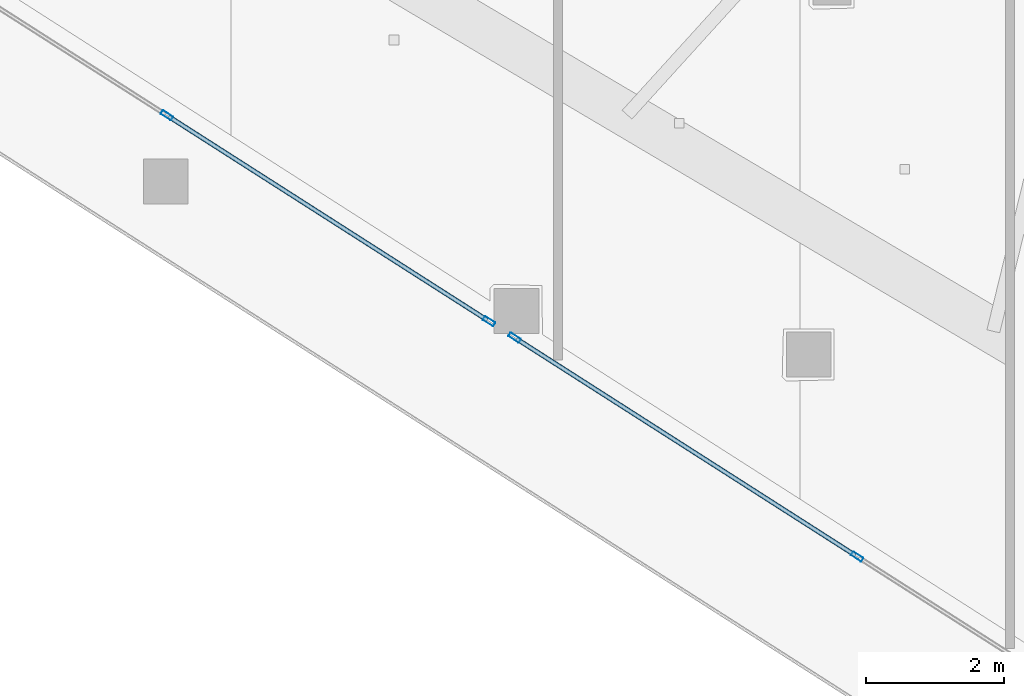
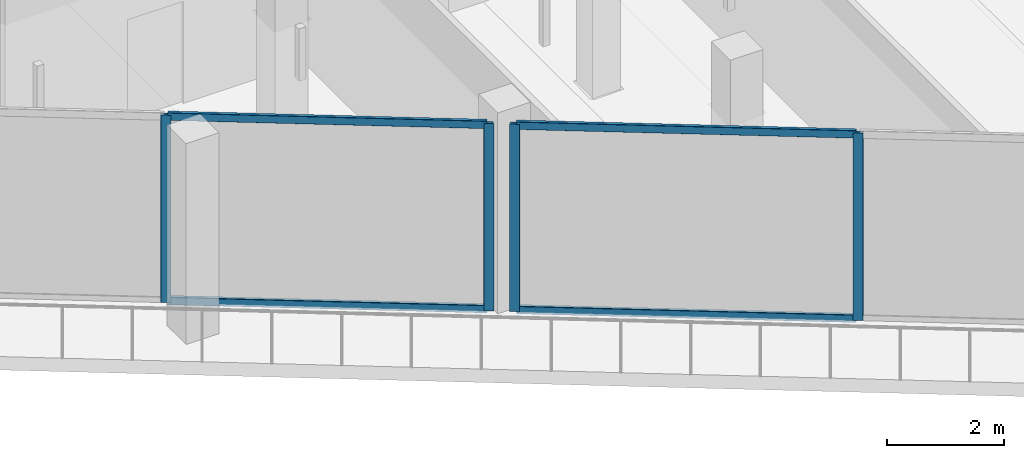
# One storey, part 2 of 46: 8 members, 2 elements without a shape of their own.
"""IFC4 building model written with IfcOpenShell, lengths in metres."""

from ifc_helpers import new_model, si_unit, direction, frame, origin, origin_2d, place, context, subcontext, project, spatial, hollow_rectangle, extrude, material, layer, layer_set, material_profile, profile_set, type_object, element, aggregate, save


model = new_model("IFC4")

# Units and contexts
model_context = context("Model", 3, precision=1e-05, world=origin(), true_north=direction((0.0, 1.0)))
body_context = subcontext(model_context, "Body", "Model", "MODEL_VIEW")
ifc_project = project(units=[si_unit("LENGTHUNIT", "METRE"), si_unit("AREAUNIT", "SQUARE_METRE"), si_unit("VOLUMEUNIT", "CUBIC_METRE"), si_unit("PLANEANGLEUNIT", "RADIAN"), si_unit("MASSUNIT", "GRAM", prefix="KILO")], contexts=[model_context])

# Site, building, storey
site_placement = place(None, origin())
site = spatial("IfcSite", under=ifc_project, at=site_placement, CompositionType="ELEMENT")
building_placement = place(site_placement, origin())
building = spatial("IfcBuilding", under=site, at=building_placement, Name="Qorvath Tower", CompositionType="ELEMENT")
storey_placement = place(building_placement, frame((0.0, 0.0, 87.0)))
storey = spatial("IfcBuildingStorey", under=building, at=storey_placement, Name="L19", CompositionType="ELEMENT", Elevation=87.0)

# Curtain wall, members
ifc_material_1 = material(Name="Anodised aluminium and triple low-E glass", Category="aluminium")
ifc_layer = layer(ifc_material_1, 0.179931640625)
ifc_layer_set = layer_set([ifc_layer], Name="CW-SYS-2")
curtain_wall_type = type_object("IfcCurtainWallType", Name="CW-SYS-2", PredefinedType="NOTDEFINED", material=ifc_layer_set)
curtain_wall_1_placement = place(storey_placement, origin())
curtain_wall_1 = element("IfcCurtainWall", 1, at=curtain_wall_1_placement, inside=storey, type_object=curtain_wall_type, Name="Curtain Wall CW-2 CW-T-L19-2.1", PredefinedType="NOTDEFINED")
ifc_material_2 = material(Name="Anodised aluminium 6063-T6", Category="aluminium")
ifc_material_profile_1 = material_profile(ifc_material_2, hollow_rectangle(XDim=0.06494140625, YDim=0.179931640625, WallThickness=0.00341796875, InnerFilletRadius=0.00341796875, OuterFilletRadius=0.007080078125, at=origin_2d()), Name="CWM 180x65")
ifc_profile_set_1 = profile_set([ifc_material_profile_1], Name="Anodised aluminium 6063-T6")
member_type_1 = type_object("IfcMemberType", Name="CWM-180", PredefinedType="MULLION", material=ifc_profile_set_1)
member_1_placement = place(storey_placement, frame((-40.316162109375, -15.99560546875, 0.0), z_axis=(0.0, 0.0, 1.0), x_axis=(0.538527563, 0.842607894509, 0.0)))
member_1 = element("IfcMember", 2, at=member_1_placement, type_object=member_type_1, Name="CW-2 mullion 5", PredefinedType="MULLION", context=body_context, shape_type="SweptSolid", body=[
    extrude(hollow_rectangle(XDim=0.06494140625, YDim=0.179931640625, WallThickness=0.00341796875, InnerFilletRadius=0.00341796875, OuterFilletRadius=0.007080078125, at=origin_2d()), origin(), (0.0, 0.0, 1.0), 3.919921875),
])
member_2_placement = place(storey_placement, frame((-35.64892578125, -18.978515625, 0.0), z_axis=(0.0, 0.0, 1.0), x_axis=(0.538527563, 0.842607894509, 0.0)))
member_2 = element("IfcMember", 3, at=member_2_placement, type_object=member_type_1, Name="CW-2 mullion 6", PredefinedType="MULLION", context=body_context, shape_type="SweptSolid", body=[
    extrude(hollow_rectangle(XDim=0.06494140625, YDim=0.179931640625, WallThickness=0.00341796875, InnerFilletRadius=0.00341796875, OuterFilletRadius=0.007080078125, at=origin_2d()), origin(), (0.0, 0.0, 1.0), 3.919921875),
])

curtain_wall_2_placement = place(storey_placement, origin())
curtain_wall_2 = element("IfcCurtainWall", 4, at=curtain_wall_2_placement, inside=storey, type_object=curtain_wall_type, Name="Curtain Wall CW-2 CW-T-L19-2.2", PredefinedType="NOTDEFINED")
member_3_placement = place(storey_placement, frame((-35.276611328125, -19.216796875, 0.0), z_axis=(0.0, 0.0, 1.0), x_axis=(0.538533449676, 0.842604132188, 0.0)))
member_3 = element("IfcMember", 5, at=member_3_placement, type_object=member_type_1, Name="CW-2 mullion 1", PredefinedType="MULLION", context=body_context, shape_type="SweptSolid", body=[
    extrude(hollow_rectangle(XDim=0.06494140625, YDim=0.179931640625, WallThickness=0.00341796875, InnerFilletRadius=0.00341796875, OuterFilletRadius=0.007080078125, at=origin_2d()), origin(), (0.0, 0.0, 1.0), 3.919921875),
])
member_4_placement = place(storey_placement, frame((-30.315185546875, -22.3876953125, 0.0), z_axis=(0.0, 0.0, 1.0), x_axis=(0.538533449676, 0.842604132188, 0.0)))
member_4 = element("IfcMember", 6, at=member_4_placement, type_object=member_type_1, Name="CW-2 mullion 2", PredefinedType="MULLION", context=body_context, shape_type="SweptSolid", body=[
    extrude(hollow_rectangle(XDim=0.06494140625, YDim=0.179931640625, WallThickness=0.00341796875, InnerFilletRadius=0.00341796875, OuterFilletRadius=0.007080078125, at=origin_2d()), origin(), (0.0, 0.0, 1.0), 3.919921875),
])

# Member
ifc_material_3 = material(Name="Anodised aluminium 6063-T6", Category="aluminium")
ifc_material_profile_2 = material_profile(ifc_material_3, hollow_rectangle(XDim=0.06494140625, YDim=0.159912109375, WallThickness=0.00341796875, InnerFilletRadius=0.00341796875, OuterFilletRadius=0.007080078125, at=origin_2d()), Name="CWT 160x65")
ifc_profile_set_2 = profile_set([ifc_material_profile_2], Name="Anodised aluminium 6063-T6")
member_type_2 = type_object("IfcMemberType", Name="CWT-160", PredefinedType="USERDEFINED", material=ifc_profile_set_2)
member_5_placement = place(storey_placement, frame((-40.288818359375, -16.01318359375, 0.032470703125), z_axis=(0.842605755043, -0.538530910504, 0.0), x_axis=(0.538530910504, 0.842605755043, 0.0)))
member_5 = element("IfcMember", 7, at=member_5_placement, type_object=member_type_2, Name="CW-2 transom 5.1", ObjectType="TRANSOM", PredefinedType="USERDEFINED", context=body_context, shape_type="SweptSolid", body=[
    extrude(hollow_rectangle(XDim=0.06494140625, YDim=0.159912109375, WallThickness=0.00341796875, InnerFilletRadius=0.00341796875, OuterFilletRadius=0.007080078125, at=origin_2d()), origin(), (0.0, 0.0, 1.0), 5.47412109375),
])

member_6_placement = place(storey_placement, frame((-40.288818359375, -16.01318359375, 3.887451171875), z_axis=(0.842605755043, -0.538530910504, 0.0), x_axis=(0.538530910504, 0.842605755043, 0.0)))
member_6 = element("IfcMember", 8, at=member_6_placement, type_object=member_type_2, Name="CW-2 transom 5.2", ObjectType="TRANSOM", PredefinedType="USERDEFINED", context=body_context, shape_type="SweptSolid", body=[
    extrude(hollow_rectangle(XDim=0.06494140625, YDim=0.159912109375, WallThickness=0.00341796875, InnerFilletRadius=0.00341796875, OuterFilletRadius=0.007080078125, at=origin_2d()), origin(), (0.0, 0.0, 1.0), 5.47412109375),
])

aggregate(curtain_wall_1, [member_1, member_2, member_5, member_6])

member_7_placement = place(storey_placement, frame((-35.249267578125, -19.234130859375, 0.032470703125), z_axis=(0.842608539244, -0.538526554214, 0.0), x_axis=(0.538526554214, 0.842608539244, 0.0)))
member_7 = element("IfcMember", 9, at=member_7_placement, type_object=member_type_2, Name="CW-2 transom 1.1", ObjectType="TRANSOM", PredefinedType="USERDEFINED", context=body_context, shape_type="SweptSolid", body=[
    extrude(hollow_rectangle(XDim=0.06494140625, YDim=0.159912109375, WallThickness=0.00341796875, InnerFilletRadius=0.00341796875, OuterFilletRadius=0.007080078125, at=origin_2d()), origin(), (0.0, 0.0, 1.0), 5.8232421875),
])

member_8_placement = place(storey_placement, frame((-35.249267578125, -19.234130859375, 3.887451171875), z_axis=(0.842608539244, -0.538526554214, 0.0), x_axis=(0.538526554214, 0.842608539244, 0.0)))
member_8 = element("IfcMember", 10, at=member_8_placement, type_object=member_type_2, Name="CW-2 transom 1.2", ObjectType="TRANSOM", PredefinedType="USERDEFINED", context=body_context, shape_type="SweptSolid", body=[
    extrude(hollow_rectangle(XDim=0.06494140625, YDim=0.159912109375, WallThickness=0.00341796875, InnerFilletRadius=0.00341796875, OuterFilletRadius=0.007080078125, at=origin_2d()), origin(), (0.0, 0.0, 1.0), 5.8232421875),
])

aggregate(curtain_wall_2, [member_3, member_4, member_7, member_8])

save(model, "model.ifc")
